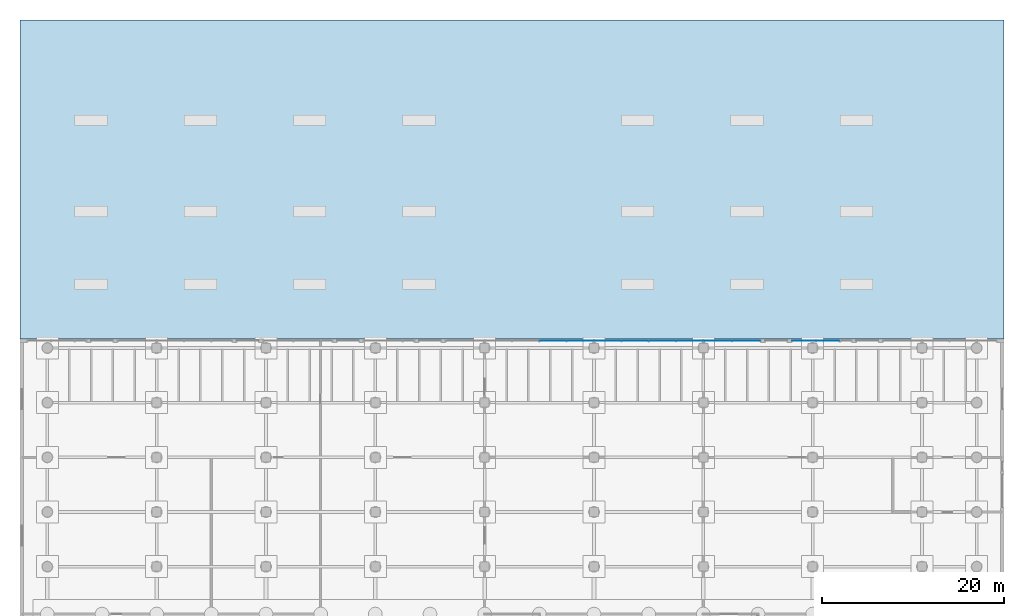
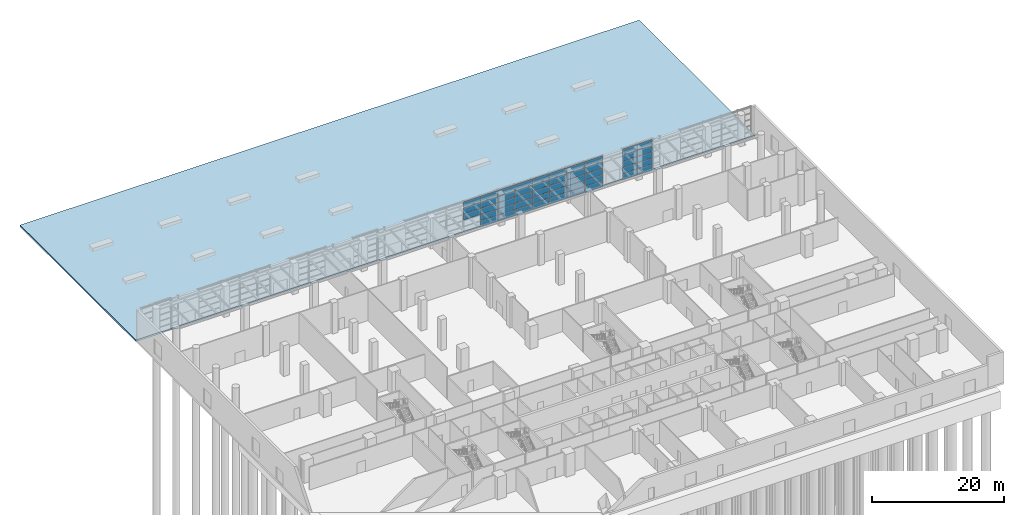
# One storey, part 10 of 27: 48 plates, 1 slab, 5 elements without a shape of their own.
"""IFC4 building model written with IfcOpenShell, lengths in metres."""

from ifc_helpers import new_model, si_unit, direction, frame, origin, origin_2d, place, context, subcontext, project, spatial, polyline, rectangle, outline, extrude, source, transform, mapped, material, layer, layer_set, type_object, element, aggregate, save


model = new_model("IFC4")

# Units and contexts
model_context = context("Model", 3, precision=1e-05, world=origin(), true_north=direction((0.0, 1.0)))
body_context = subcontext(model_context, "Body", "Model", "MODEL_VIEW")
ifc_project = project(units=[si_unit("LENGTHUNIT", "METRE"), si_unit("AREAUNIT", "SQUARE_METRE"), si_unit("VOLUMEUNIT", "CUBIC_METRE"), si_unit("PLANEANGLEUNIT", "RADIAN"), si_unit("MASSUNIT", "GRAM", prefix="KILO")], contexts=[model_context])

# Site, building, storey
site_placement = place(None, origin())
site = spatial("IfcSite", under=ifc_project, at=site_placement, CompositionType="ELEMENT")
building_placement = place(site_placement, origin())
building = spatial("IfcBuilding", under=site, at=building_placement, Name="Poui Terraces", CompositionType="ELEMENT")
storey_placement = place(building_placement, origin())
storey = spatial("IfcBuildingStorey", under=building, at=storey_placement, Name="L00", CompositionType="ELEMENT", Elevation=0.0)

# Curtain wall, plates
ifc_material_1 = material(Name="Clear glass", Category="glass")
ifc_layer_1 = layer(ifc_material_1, 0.179931640625)
ifc_layer_set_1 = layer_set([ifc_layer_1], Name="Clear glass")
curtain_wall_type = type_object("IfcCurtainWallType", Name="CURTAIN WALL CW-B RESIDENT LOBBY GLAZING", PredefinedType="NOTDEFINED", material=ifc_layer_set_1)
curtain_wall_1_placement = place(storey_placement, origin())
curtain_wall_1 = element("IfcCurtainWall", 1, at=curtain_wall_1_placement, inside=storey, type_object=curtain_wall_type, Name="CW-B RESIDENT LOBBY GLAZING", PredefinedType="NOTDEFINED")
ifc_layer_2 = layer(ifc_material_1, 0.028076171875)
ifc_layer_set_2 = layer_set([ifc_layer_2], Name="Clear glass")
plate_type = type_object("IfcPlateType", Name="CW-B GLASS PANEL 28", PredefinedType="CURTAIN_PANEL", material=ifc_layer_set_2)
plate_1_placement = place(storey_placement, frame((58.485107421875, 74.800048828125, 0.06005859375), z_axis=(0.0, 0.0, 1.0), x_axis=(-1.0, 0.0, 0.0)))
plate_1 = element("IfcPlate", 2, at=plate_1_placement, type_object=plate_type, Name="CW-B panel 1.1", PredefinedType="CURTAIN_PANEL", context=body_context, shape_type="SweptSolid", body=[
    extrude(rectangle(XDim=2.909912109375, YDim=0.028076171875, at=origin_2d()), origin(), (0.0, 0.0, 1.0), 1.0458984375),
])
plate_2_placement = place(storey_placement, frame((58.485107421875, 74.800048828125, 1.166015625), z_axis=(0.0, 0.0, 1.0), x_axis=(-1.0, 0.0, 0.0)))
plate_2 = element("IfcPlate", 3, at=plate_2_placement, type_object=plate_type, Name="CW-B panel 1.2", PredefinedType="CURTAIN_PANEL", context=body_context, shape_type="SweptSolid", body=[
    extrude(rectangle(XDim=2.909912109375, YDim=0.028076171875, at=origin_2d()), origin(), (0.0, 0.0, 1.0), 1.075927734375),
])
plate_3_placement = place(storey_placement, frame((58.485107421875, 74.800048828125, 2.30224609375), z_axis=(0.0, 0.0, 1.0), x_axis=(-1.0, 0.0, 0.0)))
plate_3 = element("IfcPlate", 4, at=plate_3_placement, type_object=plate_type, Name="CW-B panel 1.3", PredefinedType="CURTAIN_PANEL", context=body_context, shape_type="SweptSolid", body=[
    extrude(rectangle(XDim=2.909912109375, YDim=0.028076171875, at=origin_2d()), origin(), (0.0, 0.0, 1.0), 1.075927734375),
])
plate_4_placement = place(storey_placement, frame((58.485107421875, 74.800048828125, 3.43798828125), z_axis=(0.0, 0.0, 1.0), x_axis=(-1.0, 0.0, 0.0)))
plate_4 = element("IfcPlate", 5, at=plate_4_placement, type_object=plate_type, Name="CW-B panel 1.4", PredefinedType="CURTAIN_PANEL", context=body_context, shape_type="SweptSolid", body=[
    extrude(rectangle(XDim=2.909912109375, YDim=0.028076171875, at=origin_2d()), origin(), (0.0, 0.0, 1.0), 1.075927734375),
])
plate_5_placement = place(storey_placement, frame((58.485107421875, 74.800048828125, 4.573974609375), z_axis=(0.0, 0.0, 1.0), x_axis=(-1.0, 0.0, 0.0)))
plate_5 = element("IfcPlate", 6, at=plate_5_placement, type_object=plate_type, Name="CW-B panel 1.5", PredefinedType="CURTAIN_PANEL", context=body_context, shape_type="SweptSolid", body=[
    extrude(rectangle(XDim=2.909912109375, YDim=0.028076171875, at=origin_2d()), origin(), (0.0, 0.0, 1.0), 1.0458984375),
])
plate_6_placement = place(storey_placement, frame((55.514892578125, 74.800048828125, 2.30224609375), z_axis=(0.0, 0.0, 1.0), x_axis=(-1.0, 0.0, 0.0)))
plate_6 = element("IfcPlate", 7, at=plate_6_placement, type_object=plate_type, Name="CW-B panel 2.3", PredefinedType="CURTAIN_PANEL", context=body_context, shape_type="SweptSolid", body=[
    extrude(rectangle(XDim=2.909912109375, YDim=0.028076171875, at=origin_2d()), origin(), (0.0, 0.0, 1.0), 1.075927734375),
])
plate_7_placement = place(storey_placement, frame((55.514892578125, 74.800048828125, 3.43798828125), z_axis=(0.0, 0.0, 1.0), x_axis=(-1.0, 0.0, 0.0)))
plate_7 = element("IfcPlate", 8, at=plate_7_placement, type_object=plate_type, Name="CW-B panel 2.4", PredefinedType="CURTAIN_PANEL", context=body_context, shape_type="SweptSolid", body=[
    extrude(rectangle(XDim=2.909912109375, YDim=0.028076171875, at=origin_2d()), origin(), (0.0, 0.0, 1.0), 1.075927734375),
])
plate_8_placement = place(storey_placement, frame((55.514892578125, 74.800048828125, 4.573974609375), z_axis=(0.0, 0.0, 1.0), x_axis=(-1.0, 0.0, 0.0)))
plate_8 = element("IfcPlate", 9, at=plate_8_placement, type_object=plate_type, Name="CW-B panel 2.5", PredefinedType="CURTAIN_PANEL", context=body_context, shape_type="SweptSolid", body=[
    extrude(rectangle(XDim=2.909912109375, YDim=0.028076171875, at=origin_2d()), origin(), (0.0, 0.0, 1.0), 1.0458984375),
])
aggregate(curtain_wall_1, [plate_1, plate_2, plate_3, plate_4, plate_5, plate_6, plate_7, plate_8])

curtain_wall_2_placement = place(storey_placement, origin())
curtain_wall_2 = element("IfcCurtainWall", 10, at=curtain_wall_2_placement, inside=storey, type_object=curtain_wall_type, Name="CW-B RESIDENT LOBBY GLAZING", PredefinedType="NOTDEFINED")
plate_9_placement = place(storey_placement, frame((64.485107421875, 74.800048828125, 0.06005859375), z_axis=(0.0, 0.0, 1.0), x_axis=(-1.0, 0.0, 0.0)))
plate_9 = element("IfcPlate", 11, at=plate_9_placement, type_object=plate_type, Name="CW-B panel 1.1", PredefinedType="CURTAIN_PANEL", context=body_context, shape_type="SweptSolid", body=[
    extrude(rectangle(XDim=2.909912109375, YDim=0.028076171875, at=origin_2d()), origin(), (0.0, 0.0, 1.0), 1.0458984375),
])
plate_10_placement = place(storey_placement, frame((64.485107421875, 74.800048828125, 1.166015625), z_axis=(0.0, 0.0, 1.0), x_axis=(-1.0, 0.0, 0.0)))
plate_10 = element("IfcPlate", 12, at=plate_10_placement, type_object=plate_type, Name="CW-B panel 1.2", PredefinedType="CURTAIN_PANEL", context=body_context, shape_type="SweptSolid", body=[
    extrude(rectangle(XDim=2.909912109375, YDim=0.028076171875, at=origin_2d()), origin(), (0.0, 0.0, 1.0), 1.075927734375),
])
plate_11_placement = place(storey_placement, frame((64.485107421875, 74.800048828125, 2.30224609375), z_axis=(0.0, 0.0, 1.0), x_axis=(-1.0, 0.0, 0.0)))
plate_11 = element("IfcPlate", 13, at=plate_11_placement, type_object=plate_type, Name="CW-B panel 1.3", PredefinedType="CURTAIN_PANEL", context=body_context, shape_type="SweptSolid", body=[
    extrude(rectangle(XDim=2.909912109375, YDim=0.028076171875, at=origin_2d()), origin(), (0.0, 0.0, 1.0), 1.075927734375),
])
plate_12_placement = place(storey_placement, frame((64.485107421875, 74.800048828125, 3.43798828125), z_axis=(0.0, 0.0, 1.0), x_axis=(-1.0, 0.0, 0.0)))
plate_12 = element("IfcPlate", 14, at=plate_12_placement, type_object=plate_type, Name="CW-B panel 1.4", PredefinedType="CURTAIN_PANEL", context=body_context, shape_type="SweptSolid", body=[
    extrude(rectangle(XDim=2.909912109375, YDim=0.028076171875, at=origin_2d()), origin(), (0.0, 0.0, 1.0), 1.075927734375),
])
plate_13_placement = place(storey_placement, frame((64.485107421875, 74.800048828125, 4.573974609375), z_axis=(0.0, 0.0, 1.0), x_axis=(-1.0, 0.0, 0.0)))
plate_13 = element("IfcPlate", 15, at=plate_13_placement, type_object=plate_type, Name="CW-B panel 1.5", PredefinedType="CURTAIN_PANEL", context=body_context, shape_type="SweptSolid", body=[
    extrude(rectangle(XDim=2.909912109375, YDim=0.028076171875, at=origin_2d()), origin(), (0.0, 0.0, 1.0), 1.0458984375),
])
plate_14_placement = place(storey_placement, frame((61.514892578125, 74.800048828125, 0.06005859375), z_axis=(0.0, 0.0, 1.0), x_axis=(-1.0, 0.0, 0.0)))
plate_14 = element("IfcPlate", 16, at=plate_14_placement, type_object=plate_type, Name="CW-B panel 2.1", PredefinedType="CURTAIN_PANEL", context=body_context, shape_type="SweptSolid", body=[
    extrude(rectangle(XDim=2.909912109375, YDim=0.028076171875, at=origin_2d()), origin(), (0.0, 0.0, 1.0), 1.0458984375),
])
plate_15_placement = place(storey_placement, frame((61.514892578125, 74.800048828125, 1.166015625), z_axis=(0.0, 0.0, 1.0), x_axis=(-1.0, 0.0, 0.0)))
plate_15 = element("IfcPlate", 17, at=plate_15_placement, type_object=plate_type, Name="CW-B panel 2.2", PredefinedType="CURTAIN_PANEL", context=body_context, shape_type="SweptSolid", body=[
    extrude(rectangle(XDim=2.909912109375, YDim=0.028076171875, at=origin_2d()), origin(), (0.0, 0.0, 1.0), 1.075927734375),
])
plate_16_placement = place(storey_placement, frame((61.514892578125, 74.800048828125, 2.30224609375), z_axis=(0.0, 0.0, 1.0), x_axis=(-1.0, 0.0, 0.0)))
plate_16 = element("IfcPlate", 18, at=plate_16_placement, type_object=plate_type, Name="CW-B panel 2.3", PredefinedType="CURTAIN_PANEL", context=body_context, shape_type="SweptSolid", body=[
    extrude(rectangle(XDim=2.909912109375, YDim=0.028076171875, at=origin_2d()), origin(), (0.0, 0.0, 1.0), 1.075927734375),
])
plate_17_placement = place(storey_placement, frame((61.514892578125, 74.800048828125, 3.43798828125), z_axis=(0.0, 0.0, 1.0), x_axis=(-1.0, 0.0, 0.0)))
plate_17 = element("IfcPlate", 19, at=plate_17_placement, type_object=plate_type, Name="CW-B panel 2.4", PredefinedType="CURTAIN_PANEL", context=body_context, shape_type="SweptSolid", body=[
    extrude(rectangle(XDim=2.909912109375, YDim=0.028076171875, at=origin_2d()), origin(), (0.0, 0.0, 1.0), 1.075927734375),
])
plate_18_placement = place(storey_placement, frame((61.514892578125, 74.800048828125, 4.573974609375), z_axis=(0.0, 0.0, 1.0), x_axis=(-1.0, 0.0, 0.0)))
plate_18 = element("IfcPlate", 20, at=plate_18_placement, type_object=plate_type, Name="CW-B panel 2.5", PredefinedType="CURTAIN_PANEL", context=body_context, shape_type="SweptSolid", body=[
    extrude(rectangle(XDim=2.909912109375, YDim=0.028076171875, at=origin_2d()), origin(), (0.0, 0.0, 1.0), 1.0458984375),
])
aggregate(curtain_wall_2, [plate_9, plate_10, plate_11, plate_12, plate_13, plate_14, plate_15, plate_16, plate_17, plate_18])

curtain_wall_3_placement = place(storey_placement, origin())
curtain_wall_3 = element("IfcCurtainWall", 21, at=curtain_wall_3_placement, inside=storey, type_object=curtain_wall_type, Name="CW-B RESIDENT LOBBY GLAZING", PredefinedType="NOTDEFINED")
plate_19_placement = place(storey_placement, frame((70.485107421875, 74.800048828125, 0.06005859375), z_axis=(0.0, 0.0, 1.0), x_axis=(-1.0, 0.0, 0.0)))
plate_19 = element("IfcPlate", 22, at=plate_19_placement, type_object=plate_type, Name="CW-B panel 1.1", PredefinedType="CURTAIN_PANEL", context=body_context, shape_type="SweptSolid", body=[
    extrude(rectangle(XDim=2.909912109375, YDim=0.028076171875, at=origin_2d()), origin(), (0.0, 0.0, 1.0), 1.0458984375),
])
plate_20_placement = place(storey_placement, frame((70.485107421875, 74.800048828125, 1.166015625), z_axis=(0.0, 0.0, 1.0), x_axis=(-1.0, 0.0, 0.0)))
plate_20 = element("IfcPlate", 23, at=plate_20_placement, type_object=plate_type, Name="CW-B panel 1.2", PredefinedType="CURTAIN_PANEL", context=body_context, shape_type="SweptSolid", body=[
    extrude(rectangle(XDim=2.909912109375, YDim=0.028076171875, at=origin_2d()), origin(), (0.0, 0.0, 1.0), 1.075927734375),
])
plate_21_placement = place(storey_placement, frame((70.485107421875, 74.800048828125, 2.30224609375), z_axis=(0.0, 0.0, 1.0), x_axis=(-1.0, 0.0, 0.0)))
plate_21 = element("IfcPlate", 24, at=plate_21_placement, type_object=plate_type, Name="CW-B panel 1.3", PredefinedType="CURTAIN_PANEL", context=body_context, shape_type="SweptSolid", body=[
    extrude(rectangle(XDim=2.909912109375, YDim=0.028076171875, at=origin_2d()), origin(), (0.0, 0.0, 1.0), 1.075927734375),
])
plate_22_placement = place(storey_placement, frame((70.485107421875, 74.800048828125, 3.43798828125), z_axis=(0.0, 0.0, 1.0), x_axis=(-1.0, 0.0, 0.0)))
plate_22 = element("IfcPlate", 25, at=plate_22_placement, type_object=plate_type, Name="CW-B panel 1.4", PredefinedType="CURTAIN_PANEL", context=body_context, shape_type="SweptSolid", body=[
    extrude(rectangle(XDim=2.909912109375, YDim=0.028076171875, at=origin_2d()), origin(), (0.0, 0.0, 1.0), 1.075927734375),
])
plate_23_placement = place(storey_placement, frame((70.485107421875, 74.800048828125, 4.573974609375), z_axis=(0.0, 0.0, 1.0), x_axis=(-1.0, 0.0, 0.0)))
plate_23 = element("IfcPlate", 26, at=plate_23_placement, type_object=plate_type, Name="CW-B panel 1.5", PredefinedType="CURTAIN_PANEL", context=body_context, shape_type="SweptSolid", body=[
    extrude(rectangle(XDim=2.909912109375, YDim=0.028076171875, at=origin_2d()), origin(), (0.0, 0.0, 1.0), 1.0458984375),
])
plate_24_placement = place(storey_placement, frame((67.514892578125, 74.800048828125, 0.06005859375), z_axis=(0.0, 0.0, 1.0), x_axis=(-1.0, 0.0, 0.0)))
plate_24 = element("IfcPlate", 27, at=plate_24_placement, type_object=plate_type, Name="CW-B panel 2.1", PredefinedType="CURTAIN_PANEL", context=body_context, shape_type="SweptSolid", body=[
    extrude(rectangle(XDim=2.909912109375, YDim=0.028076171875, at=origin_2d()), origin(), (0.0, 0.0, 1.0), 1.0458984375),
])
plate_25_placement = place(storey_placement, frame((67.514892578125, 74.800048828125, 1.166015625), z_axis=(0.0, 0.0, 1.0), x_axis=(-1.0, 0.0, 0.0)))
plate_25 = element("IfcPlate", 28, at=plate_25_placement, type_object=plate_type, Name="CW-B panel 2.2", PredefinedType="CURTAIN_PANEL", context=body_context, shape_type="SweptSolid", body=[
    extrude(rectangle(XDim=2.909912109375, YDim=0.028076171875, at=origin_2d()), origin(), (0.0, 0.0, 1.0), 1.075927734375),
])
plate_26_placement = place(storey_placement, frame((67.514892578125, 74.800048828125, 2.30224609375), z_axis=(0.0, 0.0, 1.0), x_axis=(-1.0, 0.0, 0.0)))
plate_26 = element("IfcPlate", 29, at=plate_26_placement, type_object=plate_type, Name="CW-B panel 2.3", PredefinedType="CURTAIN_PANEL", context=body_context, shape_type="SweptSolid", body=[
    extrude(rectangle(XDim=2.909912109375, YDim=0.028076171875, at=origin_2d()), origin(), (0.0, 0.0, 1.0), 1.075927734375),
])
plate_27_placement = place(storey_placement, frame((67.514892578125, 74.800048828125, 3.43798828125), z_axis=(0.0, 0.0, 1.0), x_axis=(-1.0, 0.0, 0.0)))
plate_27 = element("IfcPlate", 30, at=plate_27_placement, type_object=plate_type, Name="CW-B panel 2.4", PredefinedType="CURTAIN_PANEL", context=body_context, shape_type="SweptSolid", body=[
    extrude(rectangle(XDim=2.909912109375, YDim=0.028076171875, at=origin_2d()), origin(), (0.0, 0.0, 1.0), 1.075927734375),
])
plate_28_placement = place(storey_placement, frame((67.514892578125, 74.800048828125, 4.573974609375), z_axis=(0.0, 0.0, 1.0), x_axis=(-1.0, 0.0, 0.0)))
plate_28 = element("IfcPlate", 31, at=plate_28_placement, type_object=plate_type, Name="CW-B panel 2.5", PredefinedType="CURTAIN_PANEL", context=body_context, shape_type="SweptSolid", body=[
    extrude(rectangle(XDim=2.909912109375, YDim=0.028076171875, at=origin_2d()), origin(), (0.0, 0.0, 1.0), 1.0458984375),
])
aggregate(curtain_wall_3, [plate_19, plate_20, plate_21, plate_22, plate_23, plate_24, plate_25, plate_26, plate_27, plate_28])

curtain_wall_4_placement = place(storey_placement, origin())
curtain_wall_4 = element("IfcCurtainWall", 32, at=curtain_wall_4_placement, inside=storey, type_object=curtain_wall_type, Name="CW-B RESIDENT LOBBY GLAZING", PredefinedType="NOTDEFINED")
plate_29_placement = place(storey_placement, frame((76.7099609375, 74.800048828125, 0.06005859375), z_axis=(0.0, 0.0, 1.0), x_axis=(-1.0, 0.0, 0.0)))
plate_29 = element("IfcPlate", 33, at=plate_29_placement, type_object=plate_type, Name="CW-B panel 1.1", PredefinedType="CURTAIN_PANEL", context=body_context, shape_type="SweptSolid", body=[
    extrude(rectangle(XDim=3.06005859375, YDim=0.028076171875, at=origin_2d()), origin(), (0.0, 0.0, 1.0), 1.0458984375),
])
plate_30_placement = place(storey_placement, frame((76.7099609375, 74.800048828125, 1.166015625), z_axis=(0.0, 0.0, 1.0), x_axis=(-1.0, 0.0, 0.0)))
plate_30 = element("IfcPlate", 34, at=plate_30_placement, type_object=plate_type, Name="CW-B panel 1.2", PredefinedType="CURTAIN_PANEL", context=body_context, shape_type="SweptSolid", body=[
    extrude(rectangle(XDim=3.06005859375, YDim=0.028076171875, at=origin_2d()), origin(), (0.0, 0.0, 1.0), 1.075927734375),
])
plate_31_placement = place(storey_placement, frame((76.7099609375, 74.800048828125, 2.30224609375), z_axis=(0.0, 0.0, 1.0), x_axis=(-1.0, 0.0, 0.0)))
plate_31 = element("IfcPlate", 35, at=plate_31_placement, type_object=plate_type, Name="CW-B panel 1.3", PredefinedType="CURTAIN_PANEL", context=body_context, shape_type="SweptSolid", body=[
    extrude(rectangle(XDim=3.06005859375, YDim=0.028076171875, at=origin_2d()), origin(), (0.0, 0.0, 1.0), 1.075927734375),
])
plate_32_placement = place(storey_placement, frame((76.7099609375, 74.800048828125, 3.43798828125), z_axis=(0.0, 0.0, 1.0), x_axis=(-1.0, 0.0, 0.0)))
plate_32 = element("IfcPlate", 36, at=plate_32_placement, type_object=plate_type, Name="CW-B panel 1.4", PredefinedType="CURTAIN_PANEL", context=body_context, shape_type="SweptSolid", body=[
    extrude(rectangle(XDim=3.06005859375, YDim=0.028076171875, at=origin_2d()), origin(), (0.0, 0.0, 1.0), 1.075927734375),
])
plate_33_placement = place(storey_placement, frame((76.7099609375, 74.800048828125, 4.573974609375), z_axis=(0.0, 0.0, 1.0), x_axis=(-1.0, 0.0, 0.0)))
plate_33 = element("IfcPlate", 37, at=plate_33_placement, type_object=plate_type, Name="CW-B panel 1.5", PredefinedType="CURTAIN_PANEL", context=body_context, shape_type="SweptSolid", body=[
    extrude(rectangle(XDim=3.06005859375, YDim=0.028076171875, at=origin_2d()), origin(), (0.0, 0.0, 1.0), 1.0458984375),
])
plate_34_placement = place(storey_placement, frame((73.590087890625, 74.800048828125, 0.06005859375), z_axis=(0.0, 0.0, 1.0), x_axis=(-1.0, 0.0, 0.0)))
plate_34 = element("IfcPlate", 38, at=plate_34_placement, type_object=plate_type, Name="CW-B panel 2.1", PredefinedType="CURTAIN_PANEL", context=body_context, shape_type="SweptSolid", body=[
    extrude(rectangle(XDim=3.06005859375, YDim=0.028076171875, at=origin_2d()), origin(), (0.0, 0.0, 1.0), 1.0458984375),
])
plate_35_placement = place(storey_placement, frame((73.590087890625, 74.800048828125, 1.166015625), z_axis=(0.0, 0.0, 1.0), x_axis=(-1.0, 0.0, 0.0)))
plate_35 = element("IfcPlate", 39, at=plate_35_placement, type_object=plate_type, Name="CW-B panel 2.2", PredefinedType="CURTAIN_PANEL", context=body_context, shape_type="SweptSolid", body=[
    extrude(rectangle(XDim=3.06005859375, YDim=0.028076171875, at=origin_2d()), origin(), (0.0, 0.0, 1.0), 1.075927734375),
])
plate_36_placement = place(storey_placement, frame((73.590087890625, 74.800048828125, 2.30224609375), z_axis=(0.0, 0.0, 1.0), x_axis=(-1.0, 0.0, 0.0)))
plate_36 = element("IfcPlate", 40, at=plate_36_placement, type_object=plate_type, Name="CW-B panel 2.3", PredefinedType="CURTAIN_PANEL", context=body_context, shape_type="SweptSolid", body=[
    extrude(rectangle(XDim=3.06005859375, YDim=0.028076171875, at=origin_2d()), origin(), (0.0, 0.0, 1.0), 1.075927734375),
])
plate_37_placement = place(storey_placement, frame((73.590087890625, 74.800048828125, 3.43798828125), z_axis=(0.0, 0.0, 1.0), x_axis=(-1.0, 0.0, 0.0)))
plate_37 = element("IfcPlate", 41, at=plate_37_placement, type_object=plate_type, Name="CW-B panel 2.4", PredefinedType="CURTAIN_PANEL", context=body_context, shape_type="SweptSolid", body=[
    extrude(rectangle(XDim=3.06005859375, YDim=0.028076171875, at=origin_2d()), origin(), (0.0, 0.0, 1.0), 1.075927734375),
])
plate_38_placement = place(storey_placement, frame((73.590087890625, 74.800048828125, 4.573974609375), z_axis=(0.0, 0.0, 1.0), x_axis=(-1.0, 0.0, 0.0)))
plate_38 = element("IfcPlate", 42, at=plate_38_placement, type_object=plate_type, Name="CW-B panel 2.5", PredefinedType="CURTAIN_PANEL", context=body_context, shape_type="SweptSolid", body=[
    extrude(rectangle(XDim=3.06005859375, YDim=0.028076171875, at=origin_2d()), origin(), (0.0, 0.0, 1.0), 1.0458984375),
])
aggregate(curtain_wall_4, [plate_29, plate_30, plate_31, plate_32, plate_33, plate_34, plate_35, plate_36, plate_37, plate_38])

curtain_wall_5_placement = place(storey_placement, origin())
curtain_wall_5 = element("IfcCurtainWall", 43, at=curtain_wall_5_placement, inside=storey, type_object=curtain_wall_type, Name="CW-B RESIDENT LOBBY GLAZING", PredefinedType="NOTDEFINED")
plate_39_placement = place(storey_placement, frame((85.659912109375, 74.800048828125, 0.06005859375), z_axis=(0.0, 0.0, 1.0), x_axis=(-1.0, 0.0, 0.0)))
plate_39 = element("IfcPlate", 44, at=plate_39_placement, type_object=plate_type, Name="CW-B panel 1.1", PredefinedType="CURTAIN_PANEL", context=body_context, shape_type="SweptSolid", body=[
    extrude(rectangle(XDim=2.56005859375, YDim=0.028076171875, at=origin_2d()), origin(), (0.0, 0.0, 1.0), 1.0458984375),
])
plate_40_placement = place(storey_placement, frame((85.659912109375, 74.800048828125, 1.166015625), z_axis=(0.0, 0.0, 1.0), x_axis=(-1.0, 0.0, 0.0)))
plate_40 = element("IfcPlate", 45, at=plate_40_placement, type_object=plate_type, Name="CW-B panel 1.2", PredefinedType="CURTAIN_PANEL", context=body_context, shape_type="SweptSolid", body=[
    extrude(rectangle(XDim=2.56005859375, YDim=0.028076171875, at=origin_2d()), origin(), (0.0, 0.0, 1.0), 1.075927734375),
])
plate_41_placement = place(storey_placement, frame((85.659912109375, 74.800048828125, 2.30224609375), z_axis=(0.0, 0.0, 1.0), x_axis=(-1.0, 0.0, 0.0)))
plate_41 = element("IfcPlate", 46, at=plate_41_placement, type_object=plate_type, Name="CW-B panel 1.3", PredefinedType="CURTAIN_PANEL", context=body_context, shape_type="SweptSolid", body=[
    extrude(rectangle(XDim=2.56005859375, YDim=0.028076171875, at=origin_2d()), origin(), (0.0, 0.0, 1.0), 1.075927734375),
])
plate_42_placement = place(storey_placement, frame((85.659912109375, 74.800048828125, 3.43798828125), z_axis=(0.0, 0.0, 1.0), x_axis=(-1.0, 0.0, 0.0)))
plate_42 = element("IfcPlate", 47, at=plate_42_placement, type_object=plate_type, Name="CW-B panel 1.4", PredefinedType="CURTAIN_PANEL", context=body_context, shape_type="SweptSolid", body=[
    extrude(rectangle(XDim=2.56005859375, YDim=0.028076171875, at=origin_2d()), origin(), (0.0, 0.0, 1.0), 1.075927734375),
])
plate_43_placement = place(storey_placement, frame((85.659912109375, 74.800048828125, 4.573974609375), z_axis=(0.0, 0.0, 1.0), x_axis=(-1.0, 0.0, 0.0)))
plate_43 = element("IfcPlate", 48, at=plate_43_placement, type_object=plate_type, Name="CW-B panel 1.5", PredefinedType="CURTAIN_PANEL", context=body_context, shape_type="SweptSolid", body=[
    extrude(rectangle(XDim=2.56005859375, YDim=0.028076171875, at=origin_2d()), origin(), (0.0, 0.0, 1.0), 1.0458984375),
])
plate_44_placement = place(storey_placement, frame((83.0400390625, 74.800048828125, 0.06005859375), z_axis=(0.0, 0.0, 1.0), x_axis=(-1.0, 0.0, 0.0)))
plate_44 = element("IfcPlate", 49, at=plate_44_placement, type_object=plate_type, Name="CW-B panel 2.1", PredefinedType="CURTAIN_PANEL", context=body_context, shape_type="SweptSolid", body=[
    extrude(rectangle(XDim=2.56005859375, YDim=0.028076171875, at=origin_2d()), origin(), (0.0, 0.0, 1.0), 1.0458984375),
])
plate_45_placement = place(storey_placement, frame((83.0400390625, 74.800048828125, 1.166015625), z_axis=(0.0, 0.0, 1.0), x_axis=(-1.0, 0.0, 0.0)))
plate_45 = element("IfcPlate", 50, at=plate_45_placement, type_object=plate_type, Name="CW-B panel 2.2", PredefinedType="CURTAIN_PANEL", context=body_context, shape_type="SweptSolid", body=[
    extrude(rectangle(XDim=2.56005859375, YDim=0.028076171875, at=origin_2d()), origin(), (0.0, 0.0, 1.0), 1.075927734375),
])
plate_46_placement = place(storey_placement, frame((83.0400390625, 74.800048828125, 2.30224609375), z_axis=(0.0, 0.0, 1.0), x_axis=(-1.0, 0.0, 0.0)))
plate_46 = element("IfcPlate", 51, at=plate_46_placement, type_object=plate_type, Name="CW-B panel 2.3", PredefinedType="CURTAIN_PANEL", context=body_context, shape_type="SweptSolid", body=[
    extrude(rectangle(XDim=2.56005859375, YDim=0.028076171875, at=origin_2d()), origin(), (0.0, 0.0, 1.0), 1.075927734375),
])
plate_47_placement = place(storey_placement, frame((83.0400390625, 74.800048828125, 3.43798828125), z_axis=(0.0, 0.0, 1.0), x_axis=(-1.0, 0.0, 0.0)))
plate_47 = element("IfcPlate", 52, at=plate_47_placement, type_object=plate_type, Name="CW-B panel 2.4", PredefinedType="CURTAIN_PANEL", context=body_context, shape_type="SweptSolid", body=[
    extrude(rectangle(XDim=2.56005859375, YDim=0.028076171875, at=origin_2d()), origin(), (0.0, 0.0, 1.0), 1.075927734375),
])
plate_48_placement = place(storey_placement, frame((83.0400390625, 74.800048828125, 4.573974609375), z_axis=(0.0, 0.0, 1.0), x_axis=(-1.0, 0.0, 0.0)))
plate_48 = element("IfcPlate", 53, at=plate_48_placement, type_object=plate_type, Name="CW-B panel 2.5", PredefinedType="CURTAIN_PANEL", context=body_context, shape_type="SweptSolid", body=[
    extrude(rectangle(XDim=2.56005859375, YDim=0.028076171875, at=origin_2d()), origin(), (0.0, 0.0, 1.0), 1.0458984375),
])
aggregate(curtain_wall_5, [plate_39, plate_40, plate_41, plate_42, plate_43, plate_44, plate_45, plate_46, plate_47, plate_48])

# Slab
ifc_material_2 = material(Name="Concrete 40 MPa", Category="concrete")
ifc_layer_3 = layer(ifc_material_2, 0.300048828125)
ifc_layer_set_3 = layer_set([ifc_layer_3], Name="Concrete 40 MPa")
slab_type = type_object("IfcSlabType", Name="PAVED PLAZA 300", PredefinedType="BASESLAB", material=ifc_layer_set_3)
shared_shape = source(origin(), body_context, "Body", "SweptSolid", [
    extrude(outline(polyline([(0.0, 0.0), (0.0, 35.0), (-108.0, 35.0), (-108.0, 0.0), (0.0, 0.0)])), origin(), (0.0, 0.0, 1.0), 0.300048828125),
])
slab_placement = place(storey_placement, frame((105.0, 75.0, -0.300048828125)))
element("IfcSlab", 54, at=slab_placement, inside=storey, type_object=slab_type, Name="PAVED PLAZA", PredefinedType="BASESLAB", context=body_context, shape_type="MappedRepresentation", body=[
    mapped(shared_shape, transform((0.0, 0.0, 0.0))),
])

save(model, "model.ifc")
